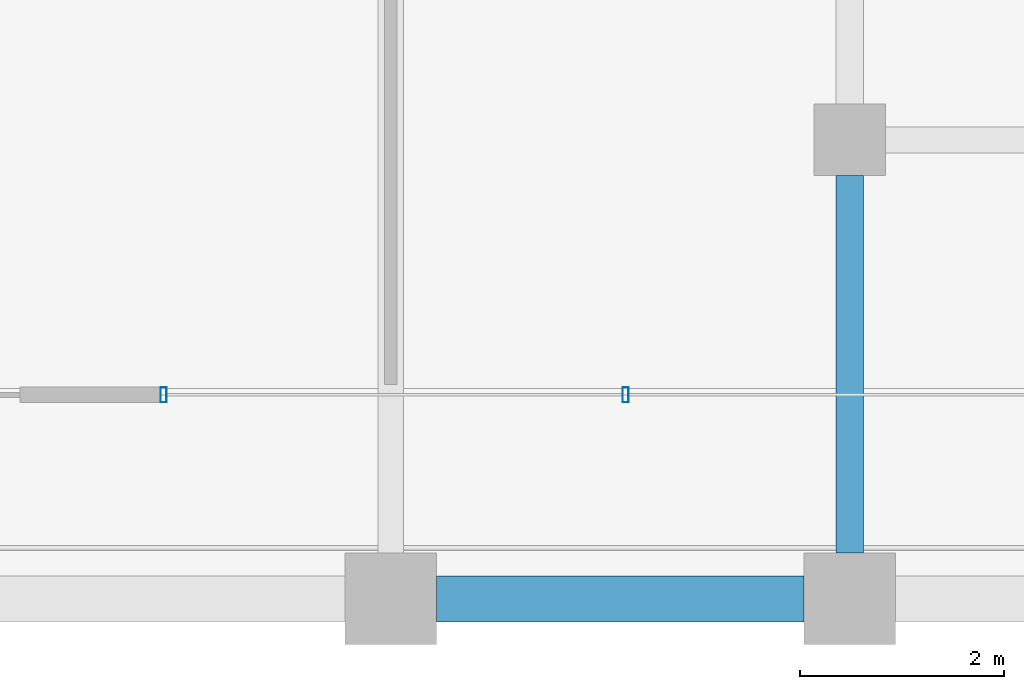
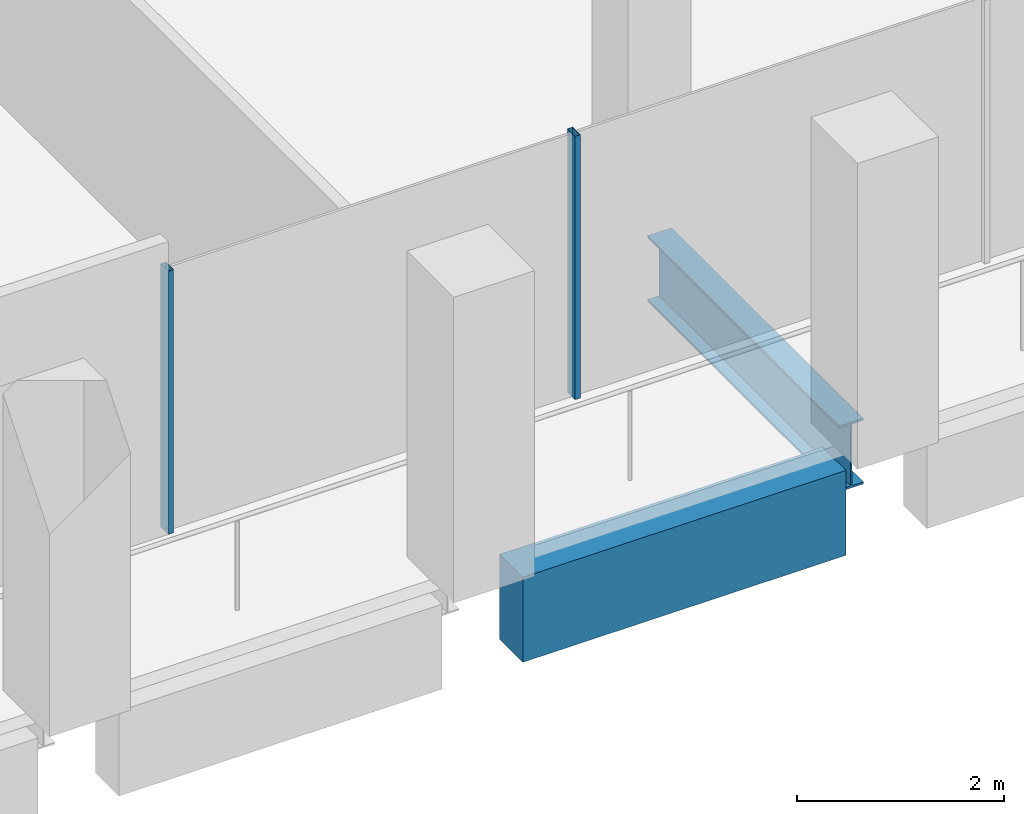
# One storey, part 9 of 40: 2 beams, 2 members, 1 element without a shape of its own.
"""IFC4 building model written with IfcOpenShell, lengths in metres."""

from ifc_helpers import new_model, si_unit, direction, frame, origin, origin_2d, place, context, subcontext, project, spatial, rectangle, hollow_rectangle, i_section, extrude, material, material_profile, profile_set, type_object, element, aggregate, save


model = new_model("IFC4")

# Units and contexts
model_context = context("Model", 3, precision=1e-05, world=origin(), true_north=direction((0.0, 1.0)))
body_context = subcontext(model_context, "Body", "Model", "MODEL_VIEW")
ifc_project = project(units=[si_unit("LENGTHUNIT", "METRE"), si_unit("AREAUNIT", "SQUARE_METRE"), si_unit("VOLUMEUNIT", "CUBIC_METRE"), si_unit("PLANEANGLEUNIT", "RADIAN"), si_unit("MASSUNIT", "GRAM", prefix="KILO")], contexts=[model_context])

# Site, building, storey
site_placement = place(None, origin())
site = spatial("IfcSite", under=ifc_project, at=site_placement, CompositionType="ELEMENT")
building_placement = place(site_placement, origin())
building = spatial("IfcBuilding", under=site, at=building_placement, Name="Altepetl Exchange Towers", CompositionType="ELEMENT")
storey_placement = place(building_placement, frame((0.0, 0.0, 161.800048828125)))
storey = spatial("IfcBuildingStorey", under=building, at=storey_placement, Name="L40", CompositionType="ELEMENT", Elevation=161.800048828125)

# Beam
ifc_material_1 = material(Name="Steel S355", Category="steel")
ifc_material_profile_1 = material_profile(ifc_material_1, i_section(OverallWidth=0.26806640625, OverallDepth=0.77392578125, WebThickness=0.015380859375, FlangeThickness=0.025390625, at=origin_2d()), Name="W30X132")
ifc_profile_set_1 = profile_set([ifc_material_profile_1], Name="Steel S355")
beam_type_1 = type_object("IfcBeamType", Name="Girder W30X132", PredefinedType="BEAM", material=ifc_profile_set_1)
beam_1_placement = place(storey_placement, frame((58.5, 31.14990234375, -0.537109375), z_axis=(0.0, -1.0, 0.0), x_axis=(1.0, 0.0, 0.0)))
element("IfcBeam", 1, at=beam_1_placement, inside=storey, type_object=beam_type_1, Name="gd:A:L40:005", PredefinedType="BEAM", context=body_context, shape_type="SweptSolid", body=[
    extrude(i_section(OverallWidth=0.26806640625, OverallDepth=0.77392578125, WebThickness=0.015380859375, FlangeThickness=0.025390625, at=origin_2d()), origin(), (0.0, 0.0, 1.0), 3.699951171875),
])

# Curtain wall, members
ifc_material_2 = material(Name="Aluminium 6063-T6 glazing", Category="aluminium")
curtain_wall_type = type_object("IfcCurtainWallType", Name="Loggia glazing system", PredefinedType="NOTDEFINED", material=ifc_material_2)
curtain_wall_placement = place(storey_placement, origin())
curtain_wall = element("IfcCurtainWall", 2, at=curtain_wall_placement, inside=storey, type_object=curtain_wall_type, Name="CW1 run", PredefinedType="NOTDEFINED")
ifc_material_3 = material(Name="Aluminium 6063-T6", Category="aluminium")
ifc_material_profile_2 = material_profile(ifc_material_3, hollow_rectangle(XDim=0.06005859375, YDim=0.14990234375, WallThickness=0.0029296875, at=origin_2d()), Name="Mullion 60x150 aluminium")
ifc_profile_set_2 = profile_set([ifc_material_profile_2], Name="Aluminium 6063-T6")
member_type = type_object("IfcMemberType", Name="Mullion 60x150 aluminium", PredefinedType="MULLION", material=ifc_profile_set_2)
member_1_placement = place(storey_placement, frame((51.77294921875, 29.0, 0.0)))
member_1 = element("IfcMember", 3, at=member_1_placement, type_object=member_type, Name="MU1 mullion", PredefinedType="MULLION", context=body_context, shape_type="SweptSolid", body=[
    extrude(hollow_rectangle(XDim=0.06005859375, YDim=0.14990234375, WallThickness=0.0029296875, at=origin_2d()), origin(), (0.0, 0.0, 1.0), 3.099853515625),
])
member_2_placement = place(storey_placement, frame((56.303466796875, 29.0, 0.0)))
member_2 = element("IfcMember", 4, at=member_2_placement, type_object=member_type, Name="MU1 mullion", PredefinedType="MULLION", context=body_context, shape_type="SweptSolid", body=[
    extrude(hollow_rectangle(XDim=0.06005859375, YDim=0.14990234375, WallThickness=0.0029296875, at=origin_2d()), origin(), (0.0, 0.0, 1.0), 3.099853515625),
])
aggregate(curtain_wall, [member_1, member_2])

# Beam
ifc_material_4 = material(Name="Concrete C50/60 precast with cantera blanca facing", Category="concrete")
ifc_material_profile_3 = material_profile(ifc_material_4, rectangle(XDim=0.449951171875, YDim=1.0, at=origin_2d()), Name="450 x 1000")
ifc_profile_set_3 = profile_set([ifc_material_profile_3], Name="Concrete C50/60 precast with cantera blanca facing")
beam_type_2 = type_object("IfcBeamType", Name="Spandrel beam 450x1000 cantera blanca", PredefinedType="SPANDREL", material=ifc_profile_set_3)
beam_2_placement = place(storey_placement, frame((54.449951171875, 27.0, -0.650146484375), z_axis=(1.0, 0.0, 0.0), x_axis=(0.0, 1.0, 0.0)))
element("IfcBeam", 5, at=beam_2_placement, inside=storey, type_object=beam_type_2, Name="sp:A:L40:005", PredefinedType="SPANDREL", context=body_context, shape_type="SweptSolid", body=[
    extrude(rectangle(XDim=0.449951171875, YDim=1.0, at=origin_2d()), origin(), (0.0, 0.0, 1.0), 3.60009765625),
])

save(model, "model.ifc")
